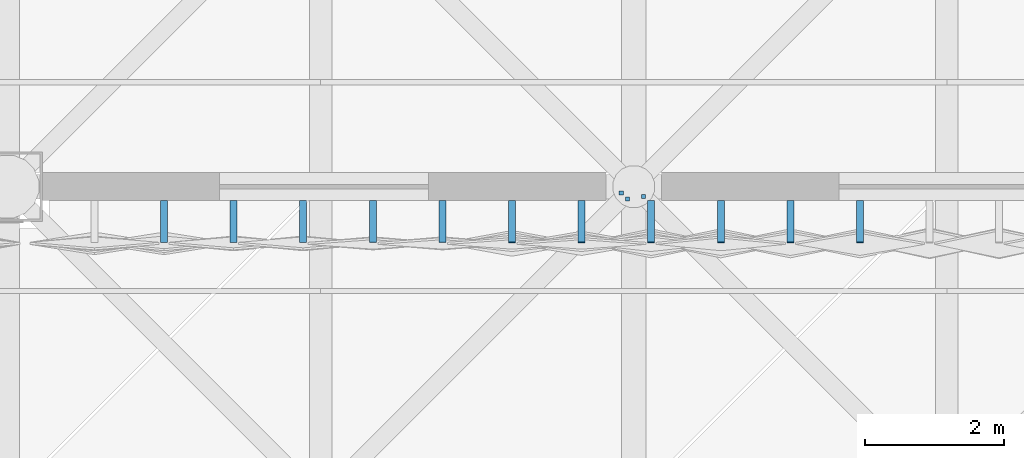
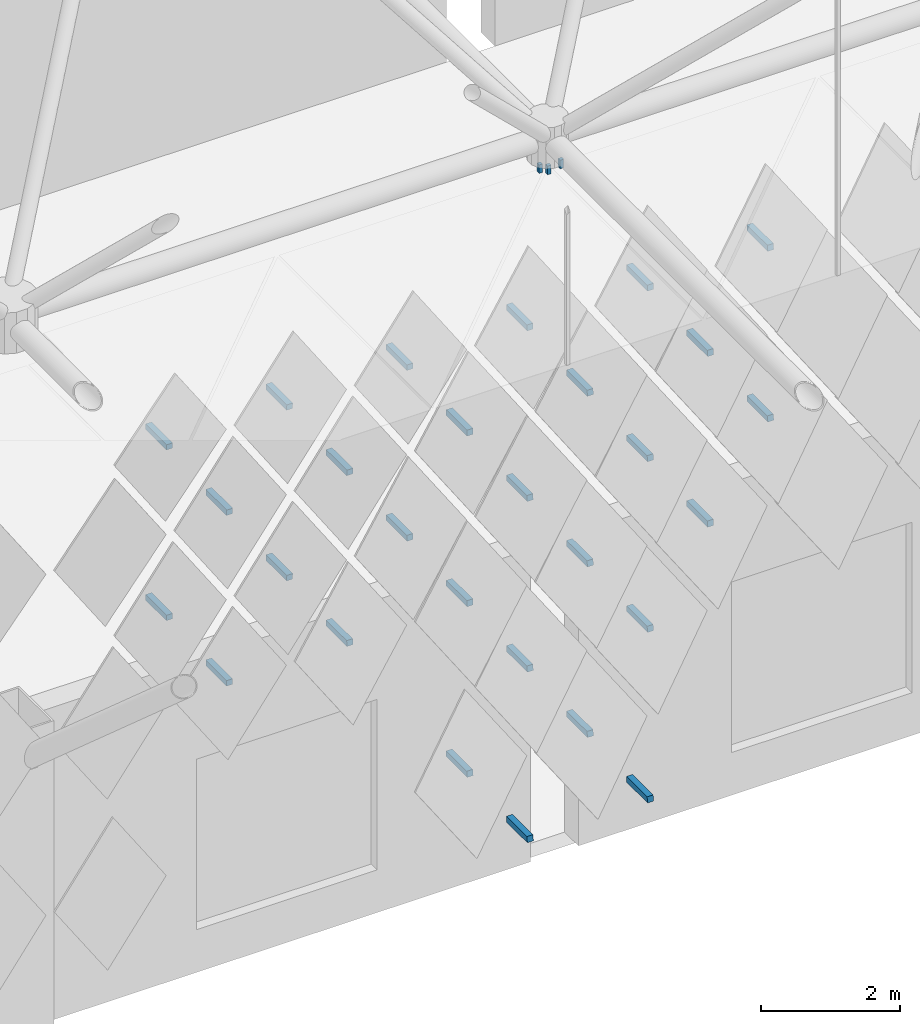
# One storey, part 365 of 437: 31 discrete accessories.
"""IFC4 building model written with IfcOpenShell, lengths in metres."""

from ifc_helpers import new_model, si_unit, direction, frame, origin, place, context, subcontext, project, spatial, polyline, outline, extrude, material, type_object, element, save


model = new_model("IFC4")

# Units and contexts
model_context = context("Model", 3, precision=1e-05, world=origin(), true_north=direction((0.0, 1.0)))
body_context = subcontext(model_context, "Body", "Model", "MODEL_VIEW")
ifc_project = project(units=[si_unit("LENGTHUNIT", "METRE"), si_unit("AREAUNIT", "SQUARE_METRE"), si_unit("VOLUMEUNIT", "CUBIC_METRE"), si_unit("PLANEANGLEUNIT", "RADIAN"), si_unit("MASSUNIT", "GRAM", prefix="KILO")], contexts=[model_context])

# Site, building, storey
site_placement = place(None, origin())
site = spatial("IfcSite", under=ifc_project, at=site_placement, CompositionType="ELEMENT")
building_placement = place(site_placement, origin())
building = spatial("IfcBuilding", under=site, at=building_placement, Name="Opaline Strait Convention Centre", CompositionType="ELEMENT")
storey_placement = place(building_placement, frame((0.0, 0.0, 11.5)))
storey = spatial("IfcBuildingStorey", under=building, at=storey_placement, Name="L02", CompositionType="ELEMENT", Elevation=11.5)

# Discrete accessories
ifc_material = material(Name="Steel Q355B", Category="steel")
discrete_accessory_type_1 = type_object("IfcDiscreteAccessoryType", Name="Soffit hanger 60x60 steel", PredefinedType="BRACKET", material=ifc_material)
discrete_accessory_1_placement = place(storey_placement, frame((0.0, 0.0, 11.989990234375)))
element("IfcDiscreteAccessory", 1, at=discrete_accessory_1_placement, inside=storey, type_object=discrete_accessory_type_1, Name="Soffit hanger", PredefinedType="BRACKET", context=body_context, shape_type="SweptSolid", body=[
    extrude(outline(polyline([(161.880859375, 53.791015625), (161.940673828125, 53.791015625), (161.940673828125, 53.85107421875), (161.880859375, 53.85107421875), (161.880859375, 53.791015625)])), origin(), (0.0, 0.0, 1.0), 0.14990234375),
])
discrete_accessory_2_placement = place(storey_placement, frame((0.0, 0.0, 11.989990234375)))
element("IfcDiscreteAccessory", 2, at=discrete_accessory_2_placement, inside=storey, type_object=discrete_accessory_type_1, Name="Soffit hanger", PredefinedType="BRACKET", context=body_context, shape_type="SweptSolid", body=[
    extrude(outline(polyline([(161.791015625, 53.880859375), (161.85107421875, 53.880859375), (161.85107421875, 53.940673828125), (161.791015625, 53.940673828125), (161.791015625, 53.880859375)])), origin(), (0.0, 0.0, 1.0), 0.14990234375),
])
discrete_accessory_3_placement = place(storey_placement, frame((0.0, 0.0, 11.989990234375)))
element("IfcDiscreteAccessory", 3, at=discrete_accessory_3_placement, inside=storey, type_object=discrete_accessory_type_1, Name="Soffit hanger", PredefinedType="BRACKET", context=body_context, shape_type="SweptSolid", body=[
    extrude(outline(polyline([(162.111328125, 53.82861328125), (162.17138671875, 53.82861328125), (162.17138671875, 53.888671875), (162.111328125, 53.888671875), (162.111328125, 53.82861328125)])), origin(), (0.0, 0.0, 1.0), 0.14990234375),
])
discrete_accessory_type_2 = type_object("IfcDiscreteAccessoryType", Name="Tile bracket 100x100 steel", PredefinedType="BRACKET", material=ifc_material)
for number, where, z_axis, x_axis, name in (
    (4, (161.199951171875, 53.800048828125, 0.89208984375), (1.0, 0.0, 0.0), (0.0, 1.0, 0.0), "Tile bracket XT16 S"),
    (5, (163.199951171875, 53.800048828125, 0.89208984375), (1.0, 0.0, 0.0), (0.0, 1.0, 0.0), "Tile bracket XT16 S"),
):
    element("IfcDiscreteAccessory", number, at=place(storey_placement, frame(where, z_axis=z_axis, x_axis=x_axis)), inside=storey, type_object=discrete_accessory_type_2, Name=name, PredefinedType="BRACKET", context=body_context, shape_type="SweptSolid", body=[
        extrude(outline(polyline([(0.0, -0.050048828125), (0.0, 0.050048828125), (-0.593017578125, 0.050048828125), (-0.60693359375, -0.050048828125), (0.0, -0.050048828125)])), origin(), (0.0, 0.0, 1.0), 0.10009765625),
    ])
discrete_accessory_4_placement = place(storey_placement, frame((160.199951171875, 53.800048828125, 2.39208984375), z_axis=(1.0, 0.0, 0.0), x_axis=(0.0, 1.0, 0.0)))
element("IfcDiscreteAccessory", 6, at=discrete_accessory_4_placement, inside=storey, type_object=discrete_accessory_type_2, Name="Tile bracket XT14 S", PredefinedType="BRACKET", context=body_context, shape_type="SweptSolid", body=[
    extrude(outline(polyline([(0.0, -0.050048828125), (0.0, 0.050048828125), (-0.59375, 0.050048828125), (-0.606201171875, -0.050048828125), (0.0, -0.050048828125)])), origin(), (0.0, 0.0, 1.0), 0.10009765625),
])
discrete_accessory_5_placement = place(storey_placement, frame((162.199951171875, 53.800048828125, 2.39208984375), z_axis=(1.0, 0.0, 0.0), x_axis=(0.0, 1.0, 0.0)))
element("IfcDiscreteAccessory", 7, at=discrete_accessory_5_placement, inside=storey, type_object=discrete_accessory_type_2, Name="Tile bracket XT16 S", PredefinedType="BRACKET", context=body_context, shape_type="SweptSolid", body=[
    extrude(outline(polyline([(0.0, -0.050048828125), (0.0, 0.050048828125), (-0.593017578125, 0.050048828125), (-0.60693359375, -0.050048828125), (0.0, -0.050048828125)])), origin(), (0.0, 0.0, 1.0), 0.10009765625),
])
discrete_accessory_6_placement = place(storey_placement, frame((161.199951171875, 53.800048828125, 3.89208984375), z_axis=(1.0, 0.0, 0.0), x_axis=(0.0, 1.0, 0.0)))
element("IfcDiscreteAccessory", 8, at=discrete_accessory_6_placement, inside=storey, type_object=discrete_accessory_type_2, Name="Tile bracket XT13 S", PredefinedType="BRACKET", context=body_context, shape_type="SweptSolid", body=[
    extrude(outline(polyline([(0.0, -0.050048828125), (0.0, 0.050048828125), (-0.59423828125, 0.050048828125), (-0.605712890625, -0.050048828125), (0.0, -0.050048828125)])), origin(), (0.0, 0.0, 1.0), 0.10009765625),
])
discrete_accessory_7_placement = place(storey_placement, frame((163.199951171875, 53.800048828125, 3.89208984375), z_axis=(1.0, 0.0, 0.0), x_axis=(0.0, 1.0, 0.0)))
element("IfcDiscreteAccessory", 9, at=discrete_accessory_7_placement, inside=storey, type_object=discrete_accessory_type_2, Name="Tile bracket XT16 S", PredefinedType="BRACKET", context=body_context, shape_type="SweptSolid", body=[
    extrude(outline(polyline([(0.0, -0.050048828125), (0.0, 0.050048828125), (-0.593017578125, 0.050048828125), (-0.60693359375, -0.050048828125), (0.0, -0.050048828125)])), origin(), (0.0, 0.0, 1.0), 0.10009765625),
])
discrete_accessory_8_placement = place(storey_placement, frame((156.199951171875, 53.800048828125, 5.39208984375), z_axis=(1.0, 0.0, 0.0), x_axis=(0.0, 1.0, 0.0)))
element("IfcDiscreteAccessory", 10, at=discrete_accessory_8_placement, inside=storey, type_object=discrete_accessory_type_2, Name="Tile bracket XT06 S", PredefinedType="BRACKET", context=body_context, shape_type="SweptSolid", body=[
    extrude(outline(polyline([(0.0, -0.050048828125), (0.0, 0.050048828125), (-0.6025390625, 0.050048828125), (-0.597412109375, -0.050048828125), (0.0, -0.050048828125)])), origin(), (0.0, 0.0, 1.0), 0.10009765625),
])
discrete_accessory_9_placement = place(storey_placement, frame((158.199951171875, 53.800048828125, 5.39208984375), z_axis=(1.0, 0.0, 0.0), x_axis=(0.0, 1.0, 0.0)))
element("IfcDiscreteAccessory", 11, at=discrete_accessory_9_placement, inside=storey, type_object=discrete_accessory_type_2, Name="Tile bracket XT06 S", PredefinedType="BRACKET", context=body_context, shape_type="SweptSolid", body=[
    extrude(outline(polyline([(0.0, -0.050048828125), (0.0, 0.050048828125), (-0.597412109375, 0.050048828125), (-0.6025390625, -0.050048828125), (0.0, -0.050048828125)])), origin(), (0.0, 0.0, 1.0), 0.10009765625),
])
discrete_accessory_10_placement = place(storey_placement, frame((160.199951171875, 53.800048828125, 5.39208984375), z_axis=(1.0, 0.0, 0.0), x_axis=(0.0, 1.0, 0.0)))
element("IfcDiscreteAccessory", 12, at=discrete_accessory_10_placement, inside=storey, type_object=discrete_accessory_type_2, Name="Tile bracket XT09 S", PredefinedType="BRACKET", context=body_context, shape_type="SweptSolid", body=[
    extrude(outline(polyline([(0.0, -0.050048828125), (0.0, 0.050048828125), (-0.595947265625, 0.050048828125), (-0.60400390625, -0.050048828125), (0.0, -0.050048828125)])), origin(), (0.0, 0.0, 1.0), 0.10009765625),
])
discrete_accessory_11_placement = place(storey_placement, frame((162.199951171875, 53.800048828125, 5.39208984375), z_axis=(1.0, 0.0, 0.0), x_axis=(0.0, 1.0, 0.0)))
element("IfcDiscreteAccessory", 13, at=discrete_accessory_11_placement, inside=storey, type_object=discrete_accessory_type_2, Name="Tile bracket XT13 S", PredefinedType="BRACKET", context=body_context, shape_type="SweptSolid", body=[
    extrude(outline(polyline([(0.0, -0.050048828125), (0.0, 0.050048828125), (-0.59423828125, 0.050048828125), (-0.605712890625, -0.050048828125), (0.0, -0.050048828125)])), origin(), (0.0, 0.0, 1.0), 0.10009765625),
])
discrete_accessory_12_placement = place(storey_placement, frame((164.199951171875, 53.800048828125, 5.39208984375), z_axis=(1.0, 0.0, 0.0), x_axis=(0.0, 1.0, 0.0)))
element("IfcDiscreteAccessory", 14, at=discrete_accessory_12_placement, inside=storey, type_object=discrete_accessory_type_2, Name="Tile bracket XT16 S", PredefinedType="BRACKET", context=body_context, shape_type="SweptSolid", body=[
    extrude(outline(polyline([(0.0, -0.050048828125), (0.0, 0.050048828125), (-0.593017578125, 0.050048828125), (-0.60693359375, -0.050048828125), (0.0, -0.050048828125)])), origin(), (0.0, 0.0, 1.0), 0.10009765625),
])
discrete_accessory_13_placement = place(storey_placement, frame((155.199951171875, 53.800048828125, 6.89208984375), z_axis=(1.0, 0.0, 0.0), x_axis=(0.0, 1.0, 0.0)))
element("IfcDiscreteAccessory", 15, at=discrete_accessory_13_placement, inside=storey, type_object=discrete_accessory_type_2, Name="Tile bracket XT07 S", PredefinedType="BRACKET", context=body_context, shape_type="SweptSolid", body=[
    extrude(outline(polyline([(0.0, -0.050048828125), (0.0, 0.050048828125), (-0.60302734375, 0.050048828125), (-0.596923828125, -0.050048828125), (0.0, -0.050048828125)])), origin(), (0.0, 0.0, 1.0), 0.10009765625),
])
discrete_accessory_14_placement = place(storey_placement, frame((157.199951171875, 53.800048828125, 6.89208984375), z_axis=(1.0, 0.0, 0.0), x_axis=(0.0, 1.0, 0.0)))
element("IfcDiscreteAccessory", 16, at=discrete_accessory_14_placement, inside=storey, type_object=discrete_accessory_type_2, Name="Tile bracket XT06 S", PredefinedType="BRACKET", context=body_context, shape_type="SweptSolid", body=[
    extrude(outline(polyline([(0.0, -0.050048828125), (0.0, 0.050048828125), (-0.6025390625, 0.050048828125), (-0.597412109375, -0.050048828125), (0.0, -0.050048828125)])), origin(), (0.0, 0.0, 1.0), 0.10009765625),
])
discrete_accessory_15_placement = place(storey_placement, frame((159.199951171875, 53.800048828125, 6.89208984375), z_axis=(1.0, 0.0, 0.0), x_axis=(0.0, 1.0, 0.0)))
element("IfcDiscreteAccessory", 17, at=discrete_accessory_15_placement, inside=storey, type_object=discrete_accessory_type_2, Name="Tile bracket XT06 S", PredefinedType="BRACKET", context=body_context, shape_type="SweptSolid", body=[
    extrude(outline(polyline([(0.0, -0.050048828125), (0.0, 0.050048828125), (-0.597412109375, 0.050048828125), (-0.6025390625, -0.050048828125), (0.0, -0.050048828125)])), origin(), (0.0, 0.0, 1.0), 0.10009765625),
])
discrete_accessory_16_placement = place(storey_placement, frame((161.199951171875, 53.800048828125, 6.89208984375), z_axis=(1.0, 0.0, 0.0), x_axis=(0.0, 1.0, 0.0)))
element("IfcDiscreteAccessory", 18, at=discrete_accessory_16_placement, inside=storey, type_object=discrete_accessory_type_2, Name="Tile bracket XT09 S", PredefinedType="BRACKET", context=body_context, shape_type="SweptSolid", body=[
    extrude(outline(polyline([(0.0, -0.050048828125), (0.0, 0.050048828125), (-0.595947265625, 0.050048828125), (-0.60400390625, -0.050048828125), (0.0, -0.050048828125)])), origin(), (0.0, 0.0, 1.0), 0.10009765625),
])
discrete_accessory_17_placement = place(storey_placement, frame((163.199951171875, 53.800048828125, 6.89208984375), z_axis=(1.0, 0.0, 0.0), x_axis=(0.0, 1.0, 0.0)))
element("IfcDiscreteAccessory", 19, at=discrete_accessory_17_placement, inside=storey, type_object=discrete_accessory_type_2, Name="Tile bracket XT13 S", PredefinedType="BRACKET", context=body_context, shape_type="SweptSolid", body=[
    extrude(outline(polyline([(0.0, -0.050048828125), (0.0, 0.050048828125), (-0.59423828125, 0.050048828125), (-0.605712890625, -0.050048828125), (0.0, -0.050048828125)])), origin(), (0.0, 0.0, 1.0), 0.10009765625),
])
discrete_accessory_18_placement = place(storey_placement, frame((165.199951171875, 53.800048828125, 6.89208984375), z_axis=(1.0, 0.0, 0.0), x_axis=(0.0, 1.0, 0.0)))
element("IfcDiscreteAccessory", 20, at=discrete_accessory_18_placement, inside=storey, type_object=discrete_accessory_type_2, Name="Tile bracket XT16 S", PredefinedType="BRACKET", context=body_context, shape_type="SweptSolid", body=[
    extrude(outline(polyline([(0.0, -0.050048828125), (0.0, 0.050048828125), (-0.593017578125, 0.050048828125), (-0.60693359375, -0.050048828125), (0.0, -0.050048828125)])), origin(), (0.0, 0.0, 1.0), 0.10009765625),
])
discrete_accessory_19_placement = place(storey_placement, frame((156.199951171875, 53.800048828125, 8.39208984375), z_axis=(1.0, 0.0, 0.0), x_axis=(0.0, 1.0, 0.0)))
element("IfcDiscreteAccessory", 21, at=discrete_accessory_19_placement, inside=storey, type_object=discrete_accessory_type_2, Name="Tile bracket XT07 S", PredefinedType="BRACKET", context=body_context, shape_type="SweptSolid", body=[
    extrude(outline(polyline([(0.0, -0.050048828125), (0.0, 0.050048828125), (-0.60302734375, 0.050048828125), (-0.596923828125, -0.050048828125), (0.0, -0.050048828125)])), origin(), (0.0, 0.0, 1.0), 0.10009765625),
])
discrete_accessory_20_placement = place(storey_placement, frame((158.199951171875, 53.800048828125, 8.39208984375), z_axis=(1.0, 0.0, 0.0), x_axis=(0.0, 1.0, 0.0)))
element("IfcDiscreteAccessory", 22, at=discrete_accessory_20_placement, inside=storey, type_object=discrete_accessory_type_2, Name="Tile bracket XT06 S", PredefinedType="BRACKET", context=body_context, shape_type="SweptSolid", body=[
    extrude(outline(polyline([(0.0, -0.050048828125), (0.0, 0.050048828125), (-0.6025390625, 0.050048828125), (-0.597412109375, -0.050048828125), (0.0, -0.050048828125)])), origin(), (0.0, 0.0, 1.0), 0.10009765625),
])
discrete_accessory_21_placement = place(storey_placement, frame((160.199951171875, 53.800048828125, 8.39208984375), z_axis=(1.0, 0.0, 0.0), x_axis=(0.0, 1.0, 0.0)))
element("IfcDiscreteAccessory", 23, at=discrete_accessory_21_placement, inside=storey, type_object=discrete_accessory_type_2, Name="Tile bracket XT06 S", PredefinedType="BRACKET", context=body_context, shape_type="SweptSolid", body=[
    extrude(outline(polyline([(0.0, -0.050048828125), (0.0, 0.050048828125), (-0.597412109375, 0.050048828125), (-0.6025390625, -0.050048828125), (0.0, -0.050048828125)])), origin(), (0.0, 0.0, 1.0), 0.10009765625),
])
discrete_accessory_22_placement = place(storey_placement, frame((162.199951171875, 53.800048828125, 8.39208984375), z_axis=(1.0, 0.0, 0.0), x_axis=(0.0, 1.0, 0.0)))
element("IfcDiscreteAccessory", 24, at=discrete_accessory_22_placement, inside=storey, type_object=discrete_accessory_type_2, Name="Tile bracket XT09 S", PredefinedType="BRACKET", context=body_context, shape_type="SweptSolid", body=[
    extrude(outline(polyline([(0.0, -0.050048828125), (0.0, 0.050048828125), (-0.595947265625, 0.050048828125), (-0.60400390625, -0.050048828125), (0.0, -0.050048828125)])), origin(), (0.0, 0.0, 1.0), 0.10009765625),
])
discrete_accessory_23_placement = place(storey_placement, frame((164.199951171875, 53.800048828125, 8.39208984375), z_axis=(1.0, 0.0, 0.0), x_axis=(0.0, 1.0, 0.0)))
element("IfcDiscreteAccessory", 25, at=discrete_accessory_23_placement, inside=storey, type_object=discrete_accessory_type_2, Name="Tile bracket XT13 S", PredefinedType="BRACKET", context=body_context, shape_type="SweptSolid", body=[
    extrude(outline(polyline([(0.0, -0.050048828125), (0.0, 0.050048828125), (-0.59423828125, 0.050048828125), (-0.605712890625, -0.050048828125), (0.0, -0.050048828125)])), origin(), (0.0, 0.0, 1.0), 0.10009765625),
])
discrete_accessory_24_placement = place(storey_placement, frame((155.199951171875, 53.800048828125, 9.89208984375), z_axis=(1.0, 0.0, 0.0), x_axis=(0.0, 1.0, 0.0)))
element("IfcDiscreteAccessory", 26, at=discrete_accessory_24_placement, inside=storey, type_object=discrete_accessory_type_2, Name="Tile bracket XT12 S", PredefinedType="BRACKET", context=body_context, shape_type="SweptSolid", body=[
    extrude(outline(polyline([(0.0, -0.050048828125), (0.0, 0.050048828125), (-0.605224609375, 0.050048828125), (-0.5947265625, -0.050048828125), (0.0, -0.050048828125)])), origin(), (0.0, 0.0, 1.0), 0.10009765625),
])
discrete_accessory_25_placement = place(storey_placement, frame((157.199951171875, 53.800048828125, 9.89208984375), z_axis=(1.0, 0.0, 0.0), x_axis=(0.0, 1.0, 0.0)))
element("IfcDiscreteAccessory", 27, at=discrete_accessory_25_placement, inside=storey, type_object=discrete_accessory_type_2, Name="Tile bracket XT07 S", PredefinedType="BRACKET", context=body_context, shape_type="SweptSolid", body=[
    extrude(outline(polyline([(0.0, -0.050048828125), (0.0, 0.050048828125), (-0.60302734375, 0.050048828125), (-0.596923828125, -0.050048828125), (0.0, -0.050048828125)])), origin(), (0.0, 0.0, 1.0), 0.10009765625),
])
discrete_accessory_26_placement = place(storey_placement, frame((159.199951171875, 53.800048828125, 9.89208984375), z_axis=(1.0, 0.0, 0.0), x_axis=(0.0, 1.0, 0.0)))
element("IfcDiscreteAccessory", 28, at=discrete_accessory_26_placement, inside=storey, type_object=discrete_accessory_type_2, Name="Tile bracket XT06 S", PredefinedType="BRACKET", context=body_context, shape_type="SweptSolid", body=[
    extrude(outline(polyline([(0.0, -0.050048828125), (0.0, 0.050048828125), (-0.6025390625, 0.050048828125), (-0.597412109375, -0.050048828125), (0.0, -0.050048828125)])), origin(), (0.0, 0.0, 1.0), 0.10009765625),
])
discrete_accessory_27_placement = place(storey_placement, frame((161.199951171875, 53.800048828125, 9.89208984375), z_axis=(1.0, 0.0, 0.0), x_axis=(0.0, 1.0, 0.0)))
element("IfcDiscreteAccessory", 29, at=discrete_accessory_27_placement, inside=storey, type_object=discrete_accessory_type_2, Name="Tile bracket XT06 S", PredefinedType="BRACKET", context=body_context, shape_type="SweptSolid", body=[
    extrude(outline(polyline([(0.0, -0.050048828125), (0.0, 0.050048828125), (-0.597412109375, 0.050048828125), (-0.6025390625, -0.050048828125), (0.0, -0.050048828125)])), origin(), (0.0, 0.0, 1.0), 0.10009765625),
])
discrete_accessory_28_placement = place(storey_placement, frame((163.199951171875, 53.800048828125, 9.89208984375), z_axis=(1.0, 0.0, 0.0), x_axis=(0.0, 1.0, 0.0)))
element("IfcDiscreteAccessory", 30, at=discrete_accessory_28_placement, inside=storey, type_object=discrete_accessory_type_2, Name="Tile bracket XT08 S", PredefinedType="BRACKET", context=body_context, shape_type="SweptSolid", body=[
    extrude(outline(polyline([(0.0, -0.050048828125), (0.0, 0.050048828125), (-0.596435546875, 0.050048828125), (-0.603515625, -0.050048828125), (0.0, -0.050048828125)])), origin(), (0.0, 0.0, 1.0), 0.10009765625),
])
discrete_accessory_29_placement = place(storey_placement, frame((165.199951171875, 53.800048828125, 9.89208984375), z_axis=(1.0, 0.0, 0.0), x_axis=(0.0, 1.0, 0.0)))
element("IfcDiscreteAccessory", 31, at=discrete_accessory_29_placement, inside=storey, type_object=discrete_accessory_type_2, Name="Tile bracket XT13 S", PredefinedType="BRACKET", context=body_context, shape_type="SweptSolid", body=[
    extrude(outline(polyline([(0.0, -0.050048828125), (0.0, 0.050048828125), (-0.59423828125, 0.050048828125), (-0.605712890625, -0.050048828125), (0.0, -0.050048828125)])), origin(), (0.0, 0.0, 1.0), 0.10009765625),
])

save(model, "model.ifc")
